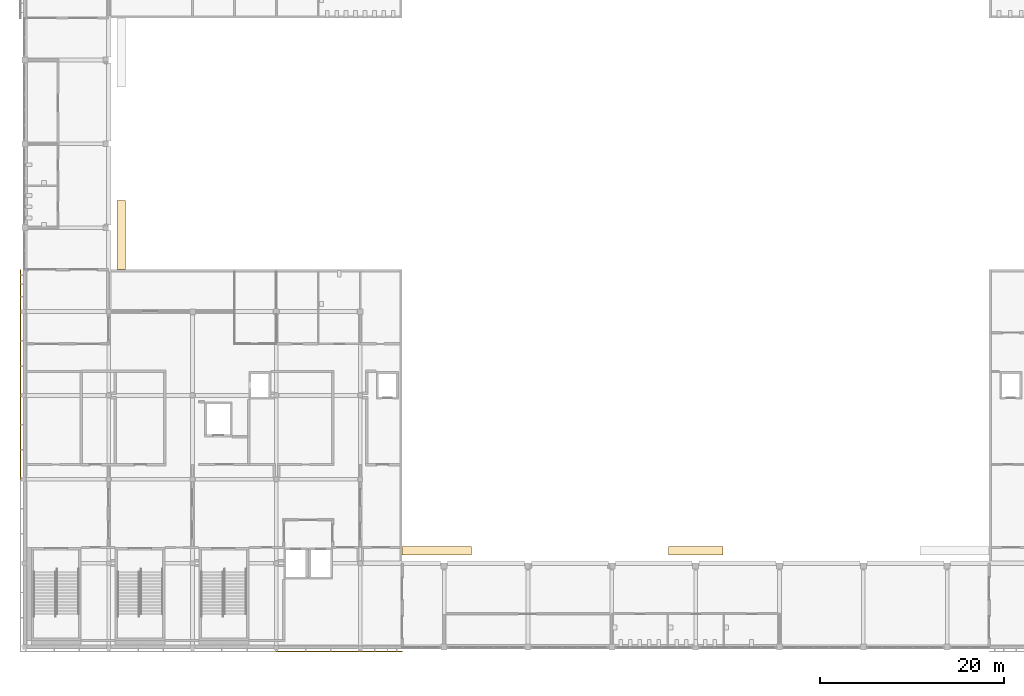
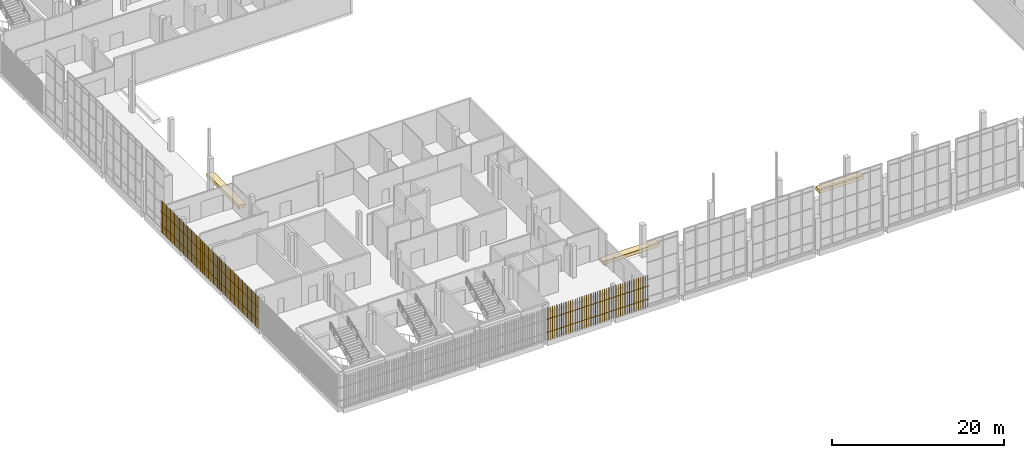
# One storey, part 76 of 91: 5 shading devices, 3 coverings.
"""IFC4 building model written with IfcOpenShell, lengths in metres."""

from ifc_helpers import new_model, si_unit, direction, frame, origin, origin_2d, place, context, subcontext, project, spatial, polyline, rectangle, outline, extrude, material, layer, layer_set, type_object, element, save


model = new_model("IFC4")

# Units and contexts
model_context = context("Model", 3, precision=1e-05, world=origin(), true_north=direction((0.0, 1.0)))
body_context = subcontext(model_context, "Body", "Model", "MODEL_VIEW")
ifc_project = project(units=[si_unit("LENGTHUNIT", "METRE"), si_unit("AREAUNIT", "SQUARE_METRE"), si_unit("VOLUMEUNIT", "CUBIC_METRE"), si_unit("PLANEANGLEUNIT", "RADIAN"), si_unit("MASSUNIT", "GRAM", prefix="KILO")], contexts=[model_context])

# Site, building, storey
site_placement = place(None, origin())
site = spatial("IfcSite", under=ifc_project, at=site_placement, CompositionType="ELEMENT")
building_placement = place(site_placement, origin())
building = spatial("IfcBuilding", under=site, at=building_placement, Name="Shirokan Park Arena", CompositionType="ELEMENT")
storey_placement = place(building_placement, frame((0.0, 0.0, 24.570068359375)))
storey = spatial("IfcBuildingStorey", under=building, at=storey_placement, Name="L05", CompositionType="ELEMENT", Elevation=24.570068359375)

# Coverings
ifc_material_1 = material(Name="Concrete screed on the tier", Category="concrete")
ifc_layer = layer(ifc_material_1, 0.47998046875)
ifc_layer_set = layer_set([ifc_layer], Name="Concrete screed on the tier 480 mm")
covering_type = type_object("IfcCoveringType", Name="Platform floor infill 480", PredefinedType="FLOORING", material=ifc_layer_set)
covering_1_placement = place(storey_placement, frame((0.0, 0.0, -0.47998046875)))
element("IfcCovering", 1, at=covering_1_placement, inside=storey, type_object=covering_type, Name="Wheelchair Platform Floor S1 Upper Tier", PredefinedType="FLOORING", context=body_context, shape_type="SweptSolid", body=[
    extrude(outline(polyline([(48.449951171875, 10.0), (48.449951171875, 10.89990234375), (40.949951171875, 10.89990234375), (40.949951171875, 10.0), (48.449951171875, 10.0)])), origin(), (0.0, 0.0, 1.0), 0.47998046875),
])
covering_2_placement = place(storey_placement, frame((0.0, 0.0, -0.47998046875)))
element("IfcCovering", 2, at=covering_2_placement, inside=storey, type_object=covering_type, Name="Wheelchair Platform Floor S2 Upper Tier", PredefinedType="FLOORING", context=body_context, shape_type="SweptSolid", body=[
    extrude(outline(polyline([(75.75, 10.0), (75.75, 10.89990234375), (69.85009765625, 10.89990234375), (69.85009765625, 10.0), (75.75, 10.0)])), origin(), (0.0, 0.0, 1.0), 0.47998046875),
])
covering_3_placement = place(storey_placement, frame((0.0, 0.0, -0.47998046875)))
element("IfcCovering", 3, at=covering_3_placement, inside=storey, type_object=covering_type, Name="Wheelchair Platform Floor W1 Upper Tier", PredefinedType="FLOORING", context=body_context, shape_type="SweptSolid", body=[
    extrude(outline(polyline([(10.89990234375, 40.949951171875), (10.89990234375, 48.449951171875), (10.0, 48.449951171875), (10.0, 40.949951171875), (10.89990234375, 40.949951171875)])), origin(), (0.0, 0.0, 1.0), 0.47998046875),
])

# Shading devices
ifc_material_2 = material(Name="Timber louvre veil (cedar)", Category="wood")
shading_device_type = type_object("IfcShadingDeviceType", Name="Timber louvre veil panel", PredefinedType="JALOUSIE", material=ifc_material_2)
shading_device_1_placement = place(storey_placement, origin())
element("IfcShadingDevice", 4, at=shading_device_1_placement, inside=storey, type_object=shading_device_type, Name="Timber louvre veil south bay 4 L05", PredefinedType="JALOUSIE", context=body_context, shape_type="SweptSolid", body=[
    extrude(rectangle(XDim=0.050048828125, YDim=0.080078125, at=origin_2d()), frame((27.45166015625, -0.485107421875, 0.0), z_axis=(0.0, 0.0, 1.0), x_axis=(1.0, 0.0, 0.0)), (0.0, 0.0, 1.0), 4.550048828125),
    extrude(rectangle(XDim=0.050048828125, YDim=0.080078125, at=origin_2d()), frame((27.7548828125, -0.485107421875, 0.0), z_axis=(0.0, 0.0, 1.0), x_axis=(1.0, 0.0, 0.0)), (0.0, 0.0, 1.0), 4.550048828125),
    extrude(rectangle(XDim=0.050048828125, YDim=0.080078125, at=origin_2d()), frame((28.058349609375, -0.485107421875, 0.0), z_axis=(0.0, 0.0, 1.0), x_axis=(1.0, 0.0, 0.0)), (0.0, 0.0, 1.0), 4.550048828125),
    extrude(rectangle(XDim=0.050048828125, YDim=0.080078125, at=origin_2d()), frame((28.361572265625, -0.485107421875, 0.0), z_axis=(0.0, 0.0, 1.0), x_axis=(1.0, 0.0, 0.0)), (0.0, 0.0, 1.0), 4.550048828125),
    extrude(rectangle(XDim=0.050048828125, YDim=0.080078125, at=origin_2d()), frame((28.6650390625, -0.485107421875, 0.0), z_axis=(0.0, 0.0, 1.0), x_axis=(1.0, 0.0, 0.0)), (0.0, 0.0, 1.0), 4.550048828125),
    extrude(rectangle(XDim=0.050048828125, YDim=0.080078125, at=origin_2d()), frame((28.96826171875, -0.485107421875, 0.0), z_axis=(0.0, 0.0, 1.0), x_axis=(1.0, 0.0, 0.0)), (0.0, 0.0, 1.0), 4.550048828125),
    extrude(rectangle(XDim=0.050048828125, YDim=0.080078125, at=origin_2d()), frame((29.271728515625, -0.485107421875, 0.0), z_axis=(0.0, 0.0, 1.0), x_axis=(1.0, 0.0, 0.0)), (0.0, 0.0, 1.0), 4.550048828125),
    extrude(rectangle(XDim=0.050048828125, YDim=0.080078125, at=origin_2d()), frame((29.574951171875, -0.485107421875, 0.0), z_axis=(0.0, 0.0, 1.0), x_axis=(1.0, 0.0, 0.0)), (0.0, 0.0, 1.0), 4.550048828125),
    extrude(rectangle(XDim=0.050048828125, YDim=0.080078125, at=origin_2d()), frame((29.87841796875, -0.485107421875, 0.0), z_axis=(0.0, 0.0, 1.0), x_axis=(1.0, 0.0, 0.0)), (0.0, 0.0, 1.0), 4.550048828125),
    extrude(rectangle(XDim=0.050048828125, YDim=0.080078125, at=origin_2d()), frame((30.181640625, -0.485107421875, 0.0), z_axis=(0.0, 0.0, 1.0), x_axis=(1.0, 0.0, 0.0)), (0.0, 0.0, 1.0), 4.550048828125),
    extrude(rectangle(XDim=0.050048828125, YDim=0.080078125, at=origin_2d()), frame((30.485107421875, -0.485107421875, 0.0), z_axis=(0.0, 0.0, 1.0), x_axis=(1.0, 0.0, 0.0)), (0.0, 0.0, 1.0), 4.550048828125),
    extrude(rectangle(XDim=0.050048828125, YDim=0.080078125, at=origin_2d()), frame((30.788330078125, -0.485107421875, 0.0), z_axis=(0.0, 0.0, 1.0), x_axis=(1.0, 0.0, 0.0)), (0.0, 0.0, 1.0), 4.550048828125),
    extrude(rectangle(XDim=0.050048828125, YDim=0.080078125, at=origin_2d()), frame((31.091552734375, -0.485107421875, 0.0), z_axis=(0.0, 0.0, 1.0), x_axis=(1.0, 0.0, 0.0)), (0.0, 0.0, 1.0), 4.550048828125),
    extrude(rectangle(XDim=0.050048828125, YDim=0.080078125, at=origin_2d()), frame((31.39501953125, -0.485107421875, 0.0), z_axis=(0.0, 0.0, 1.0), x_axis=(1.0, 0.0, 0.0)), (0.0, 0.0, 1.0), 4.550048828125),
    extrude(rectangle(XDim=0.050048828125, YDim=0.080078125, at=origin_2d()), frame((31.6982421875, -0.485107421875, 0.0), z_axis=(0.0, 0.0, 1.0), x_axis=(1.0, 0.0, 0.0)), (0.0, 0.0, 1.0), 4.550048828125),
    extrude(rectangle(XDim=0.050048828125, YDim=0.080078125, at=origin_2d()), frame((32.001708984375, -0.485107421875, 0.0), z_axis=(0.0, 0.0, 1.0), x_axis=(1.0, 0.0, 0.0)), (0.0, 0.0, 1.0), 4.550048828125),
    extrude(rectangle(XDim=0.050048828125, YDim=0.080078125, at=origin_2d()), frame((32.304931640625, -0.485107421875, 0.0), z_axis=(0.0, 0.0, 1.0), x_axis=(1.0, 0.0, 0.0)), (0.0, 0.0, 1.0), 4.550048828125),
    extrude(rectangle(XDim=0.050048828125, YDim=0.080078125, at=origin_2d()), frame((32.6083984375, -0.485107421875, 0.0), z_axis=(0.0, 0.0, 1.0), x_axis=(1.0, 0.0, 0.0)), (0.0, 0.0, 1.0), 4.550048828125),
    extrude(rectangle(XDim=0.050048828125, YDim=0.080078125, at=origin_2d()), frame((32.91162109375, -0.485107421875, 0.0), z_axis=(0.0, 0.0, 1.0), x_axis=(1.0, 0.0, 0.0)), (0.0, 0.0, 1.0), 4.550048828125),
    extrude(rectangle(XDim=0.050048828125, YDim=0.080078125, at=origin_2d()), frame((33.215087890625, -0.485107421875, 0.0), z_axis=(0.0, 0.0, 1.0), x_axis=(1.0, 0.0, 0.0)), (0.0, 0.0, 1.0), 4.550048828125),
    extrude(rectangle(XDim=0.050048828125, YDim=0.080078125, at=origin_2d()), frame((33.518310546875, -0.485107421875, 0.0), z_axis=(0.0, 0.0, 1.0), x_axis=(1.0, 0.0, 0.0)), (0.0, 0.0, 1.0), 4.550048828125),
    extrude(rectangle(XDim=0.050048828125, YDim=0.080078125, at=origin_2d()), frame((33.82177734375, -0.485107421875, 0.0), z_axis=(0.0, 0.0, 1.0), x_axis=(1.0, 0.0, 0.0)), (0.0, 0.0, 1.0), 4.550048828125),
    extrude(rectangle(XDim=0.050048828125, YDim=0.080078125, at=origin_2d()), frame((34.125, -0.485107421875, 0.0), z_axis=(0.0, 0.0, 1.0), x_axis=(1.0, 0.0, 0.0)), (0.0, 0.0, 1.0), 4.550048828125),
    extrude(rectangle(XDim=0.050048828125, YDim=0.080078125, at=origin_2d()), frame((34.42822265625, -0.485107421875, 0.0), z_axis=(0.0, 0.0, 1.0), x_axis=(1.0, 0.0, 0.0)), (0.0, 0.0, 1.0), 4.550048828125),
    extrude(rectangle(XDim=0.050048828125, YDim=0.080078125, at=origin_2d()), frame((34.731689453125, -0.485107421875, 0.0), z_axis=(0.0, 0.0, 1.0), x_axis=(1.0, 0.0, 0.0)), (0.0, 0.0, 1.0), 4.550048828125),
    extrude(rectangle(XDim=0.050048828125, YDim=0.080078125, at=origin_2d()), frame((35.034912109375, -0.485107421875, 0.0), z_axis=(0.0, 0.0, 1.0), x_axis=(1.0, 0.0, 0.0)), (0.0, 0.0, 1.0), 4.550048828125),
    extrude(rectangle(XDim=0.050048828125, YDim=0.080078125, at=origin_2d()), frame((35.33837890625, -0.485107421875, 0.0), z_axis=(0.0, 0.0, 1.0), x_axis=(1.0, 0.0, 0.0)), (0.0, 0.0, 1.0), 4.550048828125),
    extrude(rectangle(XDim=0.050048828125, YDim=0.080078125, at=origin_2d()), frame((35.6416015625, -0.485107421875, 0.0), z_axis=(0.0, 0.0, 1.0), x_axis=(1.0, 0.0, 0.0)), (0.0, 0.0, 1.0), 4.550048828125),
    extrude(rectangle(XDim=0.050048828125, YDim=0.080078125, at=origin_2d()), frame((35.945068359375, -0.485107421875, 0.0), z_axis=(0.0, 0.0, 1.0), x_axis=(1.0, 0.0, 0.0)), (0.0, 0.0, 1.0), 4.550048828125),
    extrude(rectangle(XDim=0.050048828125, YDim=0.080078125, at=origin_2d()), frame((36.248291015625, -0.485107421875, 0.0), z_axis=(0.0, 0.0, 1.0), x_axis=(1.0, 0.0, 0.0)), (0.0, 0.0, 1.0), 4.550048828125),
    extrude(rectangle(XDim=9.10009765625, YDim=0.050048828125, at=origin_2d()), frame((31.85009765625, -0.469970703125, 1.059814453125), z_axis=(0.0, 0.0, 1.0), x_axis=(1.0, 0.0, 0.0)), (0.0, 0.0, 1.0), 0.080078125),
    extrude(rectangle(XDim=9.10009765625, YDim=0.050048828125, at=origin_2d()), frame((31.85009765625, -0.469970703125, 2.909912109375), z_axis=(0.0, 0.0, 1.0), x_axis=(1.0, 0.0, 0.0)), (0.0, 0.0, 1.0), 0.080078125),
])
shading_device_2_placement = place(storey_placement, origin())
element("IfcShadingDevice", 5, at=shading_device_2_placement, inside=storey, type_object=shading_device_type, Name="Timber louvre veil south bay 5 L05", PredefinedType="JALOUSIE", context=body_context, shape_type="SweptSolid", body=[
    extrude(rectangle(XDim=0.050048828125, YDim=0.080078125, at=origin_2d()), frame((36.5517578125, -0.485107421875, 0.0), z_axis=(0.0, 0.0, 1.0), x_axis=(1.0, 0.0, 0.0)), (0.0, 0.0, 1.0), 4.550048828125),
    extrude(rectangle(XDim=0.050048828125, YDim=0.080078125, at=origin_2d()), frame((36.85498046875, -0.485107421875, 0.0), z_axis=(0.0, 0.0, 1.0), x_axis=(1.0, 0.0, 0.0)), (0.0, 0.0, 1.0), 4.550048828125),
    extrude(rectangle(XDim=0.050048828125, YDim=0.080078125, at=origin_2d()), frame((37.158447265625, -0.485107421875, 0.0), z_axis=(0.0, 0.0, 1.0), x_axis=(1.0, 0.0, 0.0)), (0.0, 0.0, 1.0), 4.550048828125),
    extrude(rectangle(XDim=0.050048828125, YDim=0.080078125, at=origin_2d()), frame((37.461669921875, -0.485107421875, 0.0), z_axis=(0.0, 0.0, 1.0), x_axis=(1.0, 0.0, 0.0)), (0.0, 0.0, 1.0), 4.550048828125),
    extrude(rectangle(XDim=0.050048828125, YDim=0.080078125, at=origin_2d()), frame((37.764892578125, -0.485107421875, 0.0), z_axis=(0.0, 0.0, 1.0), x_axis=(1.0, 0.0, 0.0)), (0.0, 0.0, 1.0), 4.550048828125),
    extrude(rectangle(XDim=0.050048828125, YDim=0.080078125, at=origin_2d()), frame((38.068359375, -0.485107421875, 0.0), z_axis=(0.0, 0.0, 1.0), x_axis=(1.0, 0.0, 0.0)), (0.0, 0.0, 1.0), 4.550048828125),
    extrude(rectangle(XDim=0.050048828125, YDim=0.080078125, at=origin_2d()), frame((38.37158203125, -0.485107421875, 0.0), z_axis=(0.0, 0.0, 1.0), x_axis=(1.0, 0.0, 0.0)), (0.0, 0.0, 1.0), 4.550048828125),
    extrude(rectangle(XDim=0.050048828125, YDim=0.080078125, at=origin_2d()), frame((38.675048828125, -0.485107421875, 0.0), z_axis=(0.0, 0.0, 1.0), x_axis=(1.0, 0.0, 0.0)), (0.0, 0.0, 1.0), 4.550048828125),
    extrude(rectangle(XDim=0.050048828125, YDim=0.080078125, at=origin_2d()), frame((38.978271484375, -0.485107421875, 0.0), z_axis=(0.0, 0.0, 1.0), x_axis=(1.0, 0.0, 0.0)), (0.0, 0.0, 1.0), 4.550048828125),
    extrude(rectangle(XDim=0.050048828125, YDim=0.080078125, at=origin_2d()), frame((39.28173828125, -0.485107421875, 0.0), z_axis=(0.0, 0.0, 1.0), x_axis=(1.0, 0.0, 0.0)), (0.0, 0.0, 1.0), 4.550048828125),
    extrude(rectangle(XDim=0.050048828125, YDim=0.080078125, at=origin_2d()), frame((39.5849609375, -0.485107421875, 0.0), z_axis=(0.0, 0.0, 1.0), x_axis=(1.0, 0.0, 0.0)), (0.0, 0.0, 1.0), 4.550048828125),
    extrude(rectangle(XDim=0.050048828125, YDim=0.080078125, at=origin_2d()), frame((39.888427734375, -0.485107421875, 0.0), z_axis=(0.0, 0.0, 1.0), x_axis=(1.0, 0.0, 0.0)), (0.0, 0.0, 1.0), 4.550048828125),
    extrude(rectangle(XDim=0.050048828125, YDim=0.080078125, at=origin_2d()), frame((40.191650390625, -0.485107421875, 0.0), z_axis=(0.0, 0.0, 1.0), x_axis=(1.0, 0.0, 0.0)), (0.0, 0.0, 1.0), 4.550048828125),
    extrude(rectangle(XDim=0.050048828125, YDim=0.080078125, at=origin_2d()), frame((40.4951171875, -0.485107421875, 0.0), z_axis=(0.0, 0.0, 1.0), x_axis=(1.0, 0.0, 0.0)), (0.0, 0.0, 1.0), 4.550048828125),
    extrude(rectangle(XDim=0.050048828125, YDim=0.080078125, at=origin_2d()), frame((40.79833984375, -0.485107421875, 0.0), z_axis=(0.0, 0.0, 1.0), x_axis=(1.0, 0.0, 0.0)), (0.0, 0.0, 1.0), 4.550048828125),
    extrude(rectangle(XDim=4.550048828125, YDim=0.050048828125, at=origin_2d()), frame((38.675048828125, -0.469970703125, 1.059814453125), z_axis=(0.0, 0.0, 1.0), x_axis=(1.0, 0.0, 0.0)), (0.0, 0.0, 1.0), 0.080078125),
    extrude(rectangle(XDim=4.550048828125, YDim=0.050048828125, at=origin_2d()), frame((38.675048828125, -0.469970703125, 2.909912109375), z_axis=(0.0, 0.0, 1.0), x_axis=(1.0, 0.0, 0.0)), (0.0, 0.0, 1.0), 0.080078125),
])
shading_device_3_placement = place(storey_placement, origin())
element("IfcShadingDevice", 6, at=shading_device_3_placement, inside=storey, type_object=shading_device_type, Name="Timber louvre veil west bay 8 L05", PredefinedType="JALOUSIE", context=body_context, shape_type="SweptSolid", body=[
    extrude(rectangle(XDim=0.050048828125, YDim=0.080078125, at=origin_2d()), frame((-0.485107421875, 40.79833984375, 0.0), z_axis=(0.0, 0.0, 1.0), x_axis=(0.0, -1.0, 0.0)), (0.0, 0.0, 1.0), 4.550048828125),
    extrude(rectangle(XDim=0.050048828125, YDim=0.080078125, at=origin_2d()), frame((-0.485107421875, 40.4951171875, 0.0), z_axis=(0.0, 0.0, 1.0), x_axis=(0.0, -1.0, 0.0)), (0.0, 0.0, 1.0), 4.550048828125),
    extrude(rectangle(XDim=0.050048828125, YDim=0.080078125, at=origin_2d()), frame((-0.485107421875, 40.191650390625, 0.0), z_axis=(0.0, 0.0, 1.0), x_axis=(0.0, -1.0, 0.0)), (0.0, 0.0, 1.0), 4.550048828125),
    extrude(rectangle(XDim=0.050048828125, YDim=0.080078125, at=origin_2d()), frame((-0.485107421875, 39.888427734375, 0.0), z_axis=(0.0, 0.0, 1.0), x_axis=(0.0, -1.0, 0.0)), (0.0, 0.0, 1.0), 4.550048828125),
    extrude(rectangle(XDim=0.050048828125, YDim=0.080078125, at=origin_2d()), frame((-0.485107421875, 39.5849609375, 0.0), z_axis=(0.0, 0.0, 1.0), x_axis=(0.0, -1.0, 0.0)), (0.0, 0.0, 1.0), 4.550048828125),
    extrude(rectangle(XDim=0.050048828125, YDim=0.080078125, at=origin_2d()), frame((-0.485107421875, 39.28173828125, 0.0), z_axis=(0.0, 0.0, 1.0), x_axis=(0.0, -1.0, 0.0)), (0.0, 0.0, 1.0), 4.550048828125),
    extrude(rectangle(XDim=0.050048828125, YDim=0.080078125, at=origin_2d()), frame((-0.485107421875, 38.978271484375, 0.0), z_axis=(0.0, 0.0, 1.0), x_axis=(0.0, -1.0, 0.0)), (0.0, 0.0, 1.0), 4.550048828125),
    extrude(rectangle(XDim=0.050048828125, YDim=0.080078125, at=origin_2d()), frame((-0.485107421875, 38.675048828125, 0.0), z_axis=(0.0, 0.0, 1.0), x_axis=(0.0, -1.0, 0.0)), (0.0, 0.0, 1.0), 4.550048828125),
    extrude(rectangle(XDim=0.050048828125, YDim=0.080078125, at=origin_2d()), frame((-0.485107421875, 38.37158203125, 0.0), z_axis=(0.0, 0.0, 1.0), x_axis=(0.0, -1.0, 0.0)), (0.0, 0.0, 1.0), 4.550048828125),
    extrude(rectangle(XDim=0.050048828125, YDim=0.080078125, at=origin_2d()), frame((-0.485107421875, 38.068359375, 0.0), z_axis=(0.0, 0.0, 1.0), x_axis=(0.0, -1.0, 0.0)), (0.0, 0.0, 1.0), 4.550048828125),
    extrude(rectangle(XDim=0.050048828125, YDim=0.080078125, at=origin_2d()), frame((-0.485107421875, 37.764892578125, 0.0), z_axis=(0.0, 0.0, 1.0), x_axis=(0.0, -1.0, 0.0)), (0.0, 0.0, 1.0), 4.550048828125),
    extrude(rectangle(XDim=0.050048828125, YDim=0.080078125, at=origin_2d()), frame((-0.485107421875, 37.461669921875, 0.0), z_axis=(0.0, 0.0, 1.0), x_axis=(0.0, -1.0, 0.0)), (0.0, 0.0, 1.0), 4.550048828125),
    extrude(rectangle(XDim=0.050048828125, YDim=0.080078125, at=origin_2d()), frame((-0.485107421875, 37.158447265625, 0.0), z_axis=(0.0, 0.0, 1.0), x_axis=(0.0, -1.0, 0.0)), (0.0, 0.0, 1.0), 4.550048828125),
    extrude(rectangle(XDim=0.050048828125, YDim=0.080078125, at=origin_2d()), frame((-0.485107421875, 36.85498046875, 0.0), z_axis=(0.0, 0.0, 1.0), x_axis=(0.0, -1.0, 0.0)), (0.0, 0.0, 1.0), 4.550048828125),
    extrude(rectangle(XDim=0.050048828125, YDim=0.080078125, at=origin_2d()), frame((-0.485107421875, 36.5517578125, 0.0), z_axis=(0.0, 0.0, 1.0), x_axis=(0.0, -1.0, 0.0)), (0.0, 0.0, 1.0), 4.550048828125),
    extrude(rectangle(XDim=4.550048828125, YDim=0.050048828125, at=origin_2d()), frame((-0.469970703125, 38.675048828125, 1.059814453125), z_axis=(0.0, 0.0, 1.0), x_axis=(0.0, -1.0, 0.0)), (0.0, 0.0, 1.0), 0.080078125),
    extrude(rectangle(XDim=4.550048828125, YDim=0.050048828125, at=origin_2d()), frame((-0.469970703125, 38.675048828125, 2.909912109375), z_axis=(0.0, 0.0, 1.0), x_axis=(0.0, -1.0, 0.0)), (0.0, 0.0, 1.0), 0.080078125),
])
shading_device_4_placement = place(storey_placement, origin())
element("IfcShadingDevice", 7, at=shading_device_4_placement, inside=storey, type_object=shading_device_type, Name="Timber louvre veil west bay 9 L05", PredefinedType="JALOUSIE", context=body_context, shape_type="SweptSolid", body=[
    extrude(rectangle(XDim=0.050048828125, YDim=0.080078125, at=origin_2d()), frame((-0.485107421875, 36.248291015625, 0.0), z_axis=(0.0, 0.0, 1.0), x_axis=(0.0, -1.0, 0.0)), (0.0, 0.0, 1.0), 4.550048828125),
    extrude(rectangle(XDim=0.050048828125, YDim=0.080078125, at=origin_2d()), frame((-0.485107421875, 35.945068359375, 0.0), z_axis=(0.0, 0.0, 1.0), x_axis=(0.0, -1.0, 0.0)), (0.0, 0.0, 1.0), 4.550048828125),
    extrude(rectangle(XDim=0.050048828125, YDim=0.080078125, at=origin_2d()), frame((-0.485107421875, 35.6416015625, 0.0), z_axis=(0.0, 0.0, 1.0), x_axis=(0.0, -1.0, 0.0)), (0.0, 0.0, 1.0), 4.550048828125),
    extrude(rectangle(XDim=0.050048828125, YDim=0.080078125, at=origin_2d()), frame((-0.485107421875, 35.33837890625, 0.0), z_axis=(0.0, 0.0, 1.0), x_axis=(0.0, -1.0, 0.0)), (0.0, 0.0, 1.0), 4.550048828125),
    extrude(rectangle(XDim=0.050048828125, YDim=0.080078125, at=origin_2d()), frame((-0.485107421875, 35.034912109375, 0.0), z_axis=(0.0, 0.0, 1.0), x_axis=(0.0, -1.0, 0.0)), (0.0, 0.0, 1.0), 4.550048828125),
    extrude(rectangle(XDim=0.050048828125, YDim=0.080078125, at=origin_2d()), frame((-0.485107421875, 34.731689453125, 0.0), z_axis=(0.0, 0.0, 1.0), x_axis=(0.0, -1.0, 0.0)), (0.0, 0.0, 1.0), 4.550048828125),
    extrude(rectangle(XDim=0.050048828125, YDim=0.080078125, at=origin_2d()), frame((-0.485107421875, 34.42822265625, 0.0), z_axis=(0.0, 0.0, 1.0), x_axis=(0.0, -1.0, 0.0)), (0.0, 0.0, 1.0), 4.550048828125),
    extrude(rectangle(XDim=0.050048828125, YDim=0.080078125, at=origin_2d()), frame((-0.485107421875, 34.125, 0.0), z_axis=(0.0, 0.0, 1.0), x_axis=(0.0, -1.0, 0.0)), (0.0, 0.0, 1.0), 4.550048828125),
    extrude(rectangle(XDim=0.050048828125, YDim=0.080078125, at=origin_2d()), frame((-0.485107421875, 33.82177734375, 0.0), z_axis=(0.0, 0.0, 1.0), x_axis=(0.0, -1.0, 0.0)), (0.0, 0.0, 1.0), 4.550048828125),
    extrude(rectangle(XDim=0.050048828125, YDim=0.080078125, at=origin_2d()), frame((-0.485107421875, 33.518310546875, 0.0), z_axis=(0.0, 0.0, 1.0), x_axis=(0.0, -1.0, 0.0)), (0.0, 0.0, 1.0), 4.550048828125),
    extrude(rectangle(XDim=0.050048828125, YDim=0.080078125, at=origin_2d()), frame((-0.485107421875, 33.215087890625, 0.0), z_axis=(0.0, 0.0, 1.0), x_axis=(0.0, -1.0, 0.0)), (0.0, 0.0, 1.0), 4.550048828125),
    extrude(rectangle(XDim=0.050048828125, YDim=0.080078125, at=origin_2d()), frame((-0.485107421875, 32.91162109375, 0.0), z_axis=(0.0, 0.0, 1.0), x_axis=(0.0, -1.0, 0.0)), (0.0, 0.0, 1.0), 4.550048828125),
    extrude(rectangle(XDim=0.050048828125, YDim=0.080078125, at=origin_2d()), frame((-0.485107421875, 32.6083984375, 0.0), z_axis=(0.0, 0.0, 1.0), x_axis=(0.0, -1.0, 0.0)), (0.0, 0.0, 1.0), 4.550048828125),
    extrude(rectangle(XDim=0.050048828125, YDim=0.080078125, at=origin_2d()), frame((-0.485107421875, 32.304931640625, 0.0), z_axis=(0.0, 0.0, 1.0), x_axis=(0.0, -1.0, 0.0)), (0.0, 0.0, 1.0), 4.550048828125),
    extrude(rectangle(XDim=0.050048828125, YDim=0.080078125, at=origin_2d()), frame((-0.485107421875, 32.001708984375, 0.0), z_axis=(0.0, 0.0, 1.0), x_axis=(0.0, -1.0, 0.0)), (0.0, 0.0, 1.0), 4.550048828125),
    extrude(rectangle(XDim=0.050048828125, YDim=0.080078125, at=origin_2d()), frame((-0.485107421875, 31.6982421875, 0.0), z_axis=(0.0, 0.0, 1.0), x_axis=(0.0, -1.0, 0.0)), (0.0, 0.0, 1.0), 4.550048828125),
    extrude(rectangle(XDim=0.050048828125, YDim=0.080078125, at=origin_2d()), frame((-0.485107421875, 31.39501953125, 0.0), z_axis=(0.0, 0.0, 1.0), x_axis=(0.0, -1.0, 0.0)), (0.0, 0.0, 1.0), 4.550048828125),
    extrude(rectangle(XDim=0.050048828125, YDim=0.080078125, at=origin_2d()), frame((-0.485107421875, 31.091552734375, 0.0), z_axis=(0.0, 0.0, 1.0), x_axis=(0.0, -1.0, 0.0)), (0.0, 0.0, 1.0), 4.550048828125),
    extrude(rectangle(XDim=0.050048828125, YDim=0.080078125, at=origin_2d()), frame((-0.485107421875, 30.788330078125, 0.0), z_axis=(0.0, 0.0, 1.0), x_axis=(0.0, -1.0, 0.0)), (0.0, 0.0, 1.0), 4.550048828125),
    extrude(rectangle(XDim=0.050048828125, YDim=0.080078125, at=origin_2d()), frame((-0.485107421875, 30.485107421875, 0.0), z_axis=(0.0, 0.0, 1.0), x_axis=(0.0, -1.0, 0.0)), (0.0, 0.0, 1.0), 4.550048828125),
    extrude(rectangle(XDim=0.050048828125, YDim=0.080078125, at=origin_2d()), frame((-0.485107421875, 30.181640625, 0.0), z_axis=(0.0, 0.0, 1.0), x_axis=(0.0, -1.0, 0.0)), (0.0, 0.0, 1.0), 4.550048828125),
    extrude(rectangle(XDim=0.050048828125, YDim=0.080078125, at=origin_2d()), frame((-0.485107421875, 29.87841796875, 0.0), z_axis=(0.0, 0.0, 1.0), x_axis=(0.0, -1.0, 0.0)), (0.0, 0.0, 1.0), 4.550048828125),
    extrude(rectangle(XDim=0.050048828125, YDim=0.080078125, at=origin_2d()), frame((-0.485107421875, 29.574951171875, 0.0), z_axis=(0.0, 0.0, 1.0), x_axis=(0.0, -1.0, 0.0)), (0.0, 0.0, 1.0), 4.550048828125),
    extrude(rectangle(XDim=0.050048828125, YDim=0.080078125, at=origin_2d()), frame((-0.485107421875, 29.271728515625, 0.0), z_axis=(0.0, 0.0, 1.0), x_axis=(0.0, -1.0, 0.0)), (0.0, 0.0, 1.0), 4.550048828125),
    extrude(rectangle(XDim=0.050048828125, YDim=0.080078125, at=origin_2d()), frame((-0.485107421875, 28.96826171875, 0.0), z_axis=(0.0, 0.0, 1.0), x_axis=(0.0, -1.0, 0.0)), (0.0, 0.0, 1.0), 4.550048828125),
    extrude(rectangle(XDim=0.050048828125, YDim=0.080078125, at=origin_2d()), frame((-0.485107421875, 28.6650390625, 0.0), z_axis=(0.0, 0.0, 1.0), x_axis=(0.0, -1.0, 0.0)), (0.0, 0.0, 1.0), 4.550048828125),
    extrude(rectangle(XDim=0.050048828125, YDim=0.080078125, at=origin_2d()), frame((-0.485107421875, 28.361572265625, 0.0), z_axis=(0.0, 0.0, 1.0), x_axis=(0.0, -1.0, 0.0)), (0.0, 0.0, 1.0), 4.550048828125),
    extrude(rectangle(XDim=0.050048828125, YDim=0.080078125, at=origin_2d()), frame((-0.485107421875, 28.058349609375, 0.0), z_axis=(0.0, 0.0, 1.0), x_axis=(0.0, -1.0, 0.0)), (0.0, 0.0, 1.0), 4.550048828125),
    extrude(rectangle(XDim=0.050048828125, YDim=0.080078125, at=origin_2d()), frame((-0.485107421875, 27.7548828125, 0.0), z_axis=(0.0, 0.0, 1.0), x_axis=(0.0, -1.0, 0.0)), (0.0, 0.0, 1.0), 4.550048828125),
    extrude(rectangle(XDim=0.050048828125, YDim=0.080078125, at=origin_2d()), frame((-0.485107421875, 27.45166015625, 0.0), z_axis=(0.0, 0.0, 1.0), x_axis=(0.0, -1.0, 0.0)), (0.0, 0.0, 1.0), 4.550048828125),
    extrude(rectangle(XDim=9.10009765625, YDim=0.050048828125, at=origin_2d()), frame((-0.469970703125, 31.85009765625, 1.059814453125), z_axis=(0.0, 0.0, 1.0), x_axis=(0.0, -1.0, 0.0)), (0.0, 0.0, 1.0), 0.080078125),
    extrude(rectangle(XDim=9.10009765625, YDim=0.050048828125, at=origin_2d()), frame((-0.469970703125, 31.85009765625, 2.909912109375), z_axis=(0.0, 0.0, 1.0), x_axis=(0.0, -1.0, 0.0)), (0.0, 0.0, 1.0), 0.080078125),
])
shading_device_5_placement = place(storey_placement, origin())
element("IfcShadingDevice", 8, at=shading_device_5_placement, inside=storey, type_object=shading_device_type, Name="Timber louvre veil west bay 10 L05", PredefinedType="JALOUSIE", context=body_context, shape_type="SweptSolid", body=[
    extrude(rectangle(XDim=0.050048828125, YDim=0.080078125, at=origin_2d()), frame((-0.485107421875, 27.1484375, 0.0), z_axis=(0.0, 0.0, 1.0), x_axis=(0.0, -1.0, 0.0)), (0.0, 0.0, 1.0), 4.550048828125),
    extrude(rectangle(XDim=0.050048828125, YDim=0.080078125, at=origin_2d()), frame((-0.485107421875, 26.844970703125, 0.0), z_axis=(0.0, 0.0, 1.0), x_axis=(0.0, -1.0, 0.0)), (0.0, 0.0, 1.0), 4.550048828125),
    extrude(rectangle(XDim=0.050048828125, YDim=0.080078125, at=origin_2d()), frame((-0.485107421875, 26.541748046875, 0.0), z_axis=(0.0, 0.0, 1.0), x_axis=(0.0, -1.0, 0.0)), (0.0, 0.0, 1.0), 4.550048828125),
    extrude(rectangle(XDim=0.050048828125, YDim=0.080078125, at=origin_2d()), frame((-0.485107421875, 26.23828125, 0.0), z_axis=(0.0, 0.0, 1.0), x_axis=(0.0, -1.0, 0.0)), (0.0, 0.0, 1.0), 4.550048828125),
    extrude(rectangle(XDim=0.050048828125, YDim=0.080078125, at=origin_2d()), frame((-0.485107421875, 25.93505859375, 0.0), z_axis=(0.0, 0.0, 1.0), x_axis=(0.0, -1.0, 0.0)), (0.0, 0.0, 1.0), 4.550048828125),
    extrude(rectangle(XDim=0.050048828125, YDim=0.080078125, at=origin_2d()), frame((-0.485107421875, 25.631591796875, 0.0), z_axis=(0.0, 0.0, 1.0), x_axis=(0.0, -1.0, 0.0)), (0.0, 0.0, 1.0), 4.550048828125),
    extrude(rectangle(XDim=0.050048828125, YDim=0.080078125, at=origin_2d()), frame((-0.485107421875, 25.328369140625, 0.0), z_axis=(0.0, 0.0, 1.0), x_axis=(0.0, -1.0, 0.0)), (0.0, 0.0, 1.0), 4.550048828125),
    extrude(rectangle(XDim=0.050048828125, YDim=0.080078125, at=origin_2d()), frame((-0.485107421875, 25.02490234375, 0.0), z_axis=(0.0, 0.0, 1.0), x_axis=(0.0, -1.0, 0.0)), (0.0, 0.0, 1.0), 4.550048828125),
    extrude(rectangle(XDim=0.050048828125, YDim=0.080078125, at=origin_2d()), frame((-0.485107421875, 24.7216796875, 0.0), z_axis=(0.0, 0.0, 1.0), x_axis=(0.0, -1.0, 0.0)), (0.0, 0.0, 1.0), 4.550048828125),
    extrude(rectangle(XDim=0.050048828125, YDim=0.080078125, at=origin_2d()), frame((-0.485107421875, 24.418212890625, 0.0), z_axis=(0.0, 0.0, 1.0), x_axis=(0.0, -1.0, 0.0)), (0.0, 0.0, 1.0), 4.550048828125),
    extrude(rectangle(XDim=0.050048828125, YDim=0.080078125, at=origin_2d()), frame((-0.485107421875, 24.114990234375, 0.0), z_axis=(0.0, 0.0, 1.0), x_axis=(0.0, -1.0, 0.0)), (0.0, 0.0, 1.0), 4.550048828125),
    extrude(rectangle(XDim=0.050048828125, YDim=0.080078125, at=origin_2d()), frame((-0.485107421875, 23.811767578125, 0.0), z_axis=(0.0, 0.0, 1.0), x_axis=(0.0, -1.0, 0.0)), (0.0, 0.0, 1.0), 4.550048828125),
    extrude(rectangle(XDim=0.050048828125, YDim=0.080078125, at=origin_2d()), frame((-0.485107421875, 23.50830078125, 0.0), z_axis=(0.0, 0.0, 1.0), x_axis=(0.0, -1.0, 0.0)), (0.0, 0.0, 1.0), 4.550048828125),
    extrude(rectangle(XDim=0.050048828125, YDim=0.080078125, at=origin_2d()), frame((-0.485107421875, 23.205078125, 0.0), z_axis=(0.0, 0.0, 1.0), x_axis=(0.0, -1.0, 0.0)), (0.0, 0.0, 1.0), 4.550048828125),
    extrude(rectangle(XDim=0.050048828125, YDim=0.080078125, at=origin_2d()), frame((-0.485107421875, 22.901611328125, 0.0), z_axis=(0.0, 0.0, 1.0), x_axis=(0.0, -1.0, 0.0)), (0.0, 0.0, 1.0), 4.550048828125),
    extrude(rectangle(XDim=0.050048828125, YDim=0.080078125, at=origin_2d()), frame((-0.485107421875, 22.598388671875, 0.0), z_axis=(0.0, 0.0, 1.0), x_axis=(0.0, -1.0, 0.0)), (0.0, 0.0, 1.0), 4.550048828125),
    extrude(rectangle(XDim=0.050048828125, YDim=0.080078125, at=origin_2d()), frame((-0.485107421875, 22.294921875, 0.0), z_axis=(0.0, 0.0, 1.0), x_axis=(0.0, -1.0, 0.0)), (0.0, 0.0, 1.0), 4.550048828125),
    extrude(rectangle(XDim=0.050048828125, YDim=0.080078125, at=origin_2d()), frame((-0.485107421875, 21.99169921875, 0.0), z_axis=(0.0, 0.0, 1.0), x_axis=(0.0, -1.0, 0.0)), (0.0, 0.0, 1.0), 4.550048828125),
    extrude(rectangle(XDim=0.050048828125, YDim=0.080078125, at=origin_2d()), frame((-0.485107421875, 21.688232421875, 0.0), z_axis=(0.0, 0.0, 1.0), x_axis=(0.0, -1.0, 0.0)), (0.0, 0.0, 1.0), 4.550048828125),
    extrude(rectangle(XDim=0.050048828125, YDim=0.080078125, at=origin_2d()), frame((-0.485107421875, 21.385009765625, 0.0), z_axis=(0.0, 0.0, 1.0), x_axis=(0.0, -1.0, 0.0)), (0.0, 0.0, 1.0), 4.550048828125),
    extrude(rectangle(XDim=0.050048828125, YDim=0.080078125, at=origin_2d()), frame((-0.485107421875, 21.081787109375, 0.0), z_axis=(0.0, 0.0, 1.0), x_axis=(0.0, -1.0, 0.0)), (0.0, 0.0, 1.0), 4.550048828125),
    extrude(rectangle(XDim=0.050048828125, YDim=0.080078125, at=origin_2d()), frame((-0.485107421875, 20.7783203125, 0.0), z_axis=(0.0, 0.0, 1.0), x_axis=(0.0, -1.0, 0.0)), (0.0, 0.0, 1.0), 4.550048828125),
    extrude(rectangle(XDim=0.050048828125, YDim=0.080078125, at=origin_2d()), frame((-0.485107421875, 20.47509765625, 0.0), z_axis=(0.0, 0.0, 1.0), x_axis=(0.0, -1.0, 0.0)), (0.0, 0.0, 1.0), 4.550048828125),
    extrude(rectangle(XDim=0.050048828125, YDim=0.080078125, at=origin_2d()), frame((-0.485107421875, 20.171630859375, 0.0), z_axis=(0.0, 0.0, 1.0), x_axis=(0.0, -1.0, 0.0)), (0.0, 0.0, 1.0), 4.550048828125),
    extrude(rectangle(XDim=0.050048828125, YDim=0.080078125, at=origin_2d()), frame((-0.485107421875, 19.868408203125, 0.0), z_axis=(0.0, 0.0, 1.0), x_axis=(0.0, -1.0, 0.0)), (0.0, 0.0, 1.0), 4.550048828125),
    extrude(rectangle(XDim=0.050048828125, YDim=0.080078125, at=origin_2d()), frame((-0.485107421875, 19.56494140625, 0.0), z_axis=(0.0, 0.0, 1.0), x_axis=(0.0, -1.0, 0.0)), (0.0, 0.0, 1.0), 4.550048828125),
    extrude(rectangle(XDim=0.050048828125, YDim=0.080078125, at=origin_2d()), frame((-0.485107421875, 19.26171875, 0.0), z_axis=(0.0, 0.0, 1.0), x_axis=(0.0, -1.0, 0.0)), (0.0, 0.0, 1.0), 4.550048828125),
    extrude(rectangle(XDim=0.050048828125, YDim=0.080078125, at=origin_2d()), frame((-0.485107421875, 18.958251953125, 0.0), z_axis=(0.0, 0.0, 1.0), x_axis=(0.0, -1.0, 0.0)), (0.0, 0.0, 1.0), 4.550048828125),
    extrude(rectangle(XDim=0.050048828125, YDim=0.080078125, at=origin_2d()), frame((-0.485107421875, 18.655029296875, 0.0), z_axis=(0.0, 0.0, 1.0), x_axis=(0.0, -1.0, 0.0)), (0.0, 0.0, 1.0), 4.550048828125),
    extrude(rectangle(XDim=0.050048828125, YDim=0.080078125, at=origin_2d()), frame((-0.485107421875, 18.3515625, 0.0), z_axis=(0.0, 0.0, 1.0), x_axis=(0.0, -1.0, 0.0)), (0.0, 0.0, 1.0), 4.550048828125),
    extrude(rectangle(XDim=9.10009765625, YDim=0.050048828125, at=origin_2d()), frame((-0.469970703125, 22.75, 1.059814453125), z_axis=(0.0, 0.0, 1.0), x_axis=(0.0, -1.0, 0.0)), (0.0, 0.0, 1.0), 0.080078125),
    extrude(rectangle(XDim=9.10009765625, YDim=0.050048828125, at=origin_2d()), frame((-0.469970703125, 22.75, 2.909912109375), z_axis=(0.0, 0.0, 1.0), x_axis=(0.0, -1.0, 0.0)), (0.0, 0.0, 1.0), 0.080078125),
])

save(model, "model.ifc")
